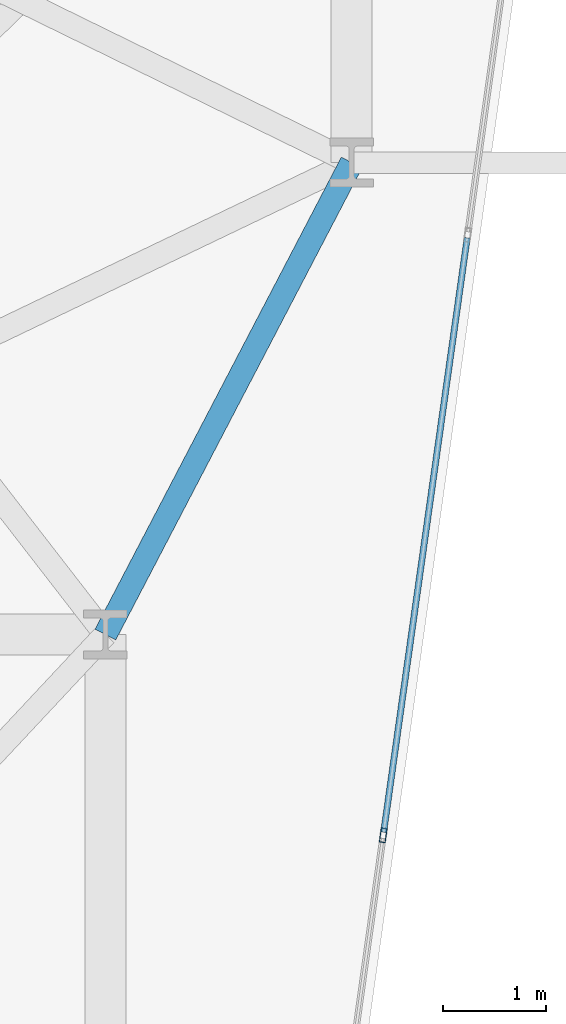
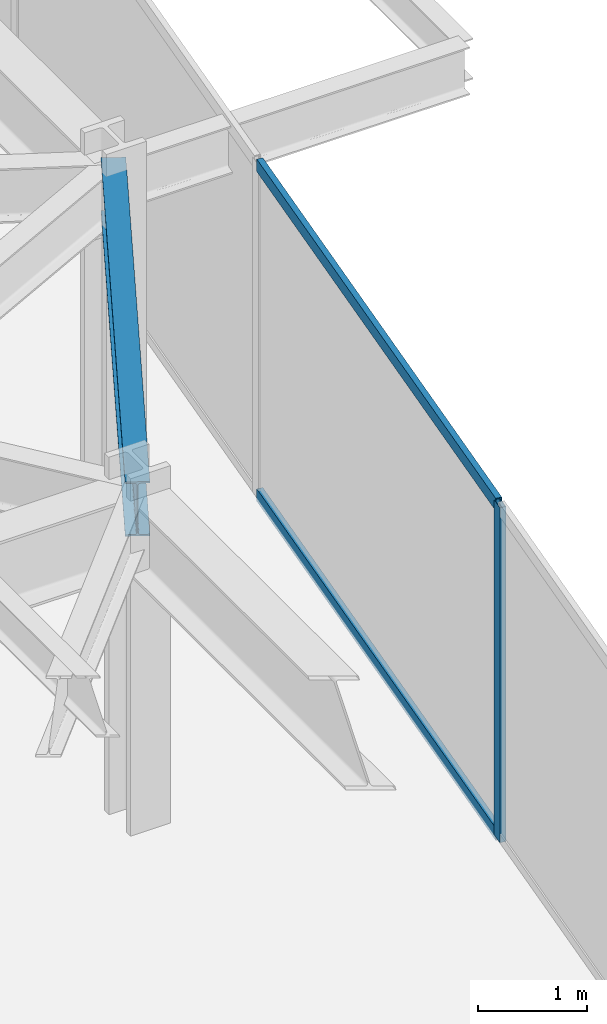
# One storey, part 14 of 24: 3 members, 1 beam, 1 element without a shape of its own.
"""IFC4 building model written with IfcOpenShell, lengths in metres."""

from ifc_helpers import new_model, si_unit, direction, frame, origin, origin_2d, place, context, subcontext, project, spatial, hollow_rectangle, i_section, extrude, material, layer, layer_set, material_profile, profile_set, type_object, element, aggregate, save


model = new_model("IFC4")

# Units and contexts
model_context = context("Model", 3, precision=1e-05, world=origin(), true_north=direction((0.0, 1.0)))
body_context = subcontext(model_context, "Body", "Model", "MODEL_VIEW")
ifc_project = project(units=[si_unit("LENGTHUNIT", "METRE"), si_unit("AREAUNIT", "SQUARE_METRE"), si_unit("VOLUMEUNIT", "CUBIC_METRE"), si_unit("PLANEANGLEUNIT", "RADIAN"), si_unit("MASSUNIT", "GRAM", prefix="KILO")], contexts=[model_context])

# Site, building, storey
site_placement = place(None, origin())
site = spatial("IfcSite", under=ifc_project, at=site_placement, CompositionType="ELEMENT")
building_placement = place(site_placement, origin())
building = spatial("IfcBuilding", under=site, at=building_placement, Name="Kravanh Interchange Tower", CompositionType="ELEMENT")
storey_placement = place(building_placement, frame((0.0, 0.0, 96.0)))
storey = spatial("IfcBuildingStorey", under=building, at=storey_placement, Name="L22", CompositionType="ELEMENT", Elevation=96.0)

# Curtain wall, members
ifc_material_1 = material(Name="Anodised Bronze Aluminium", Category="aluminium")
ifc_layer = layer(ifc_material_1, 0.179931640625)
ifc_layer_set = layer_set([ifc_layer], Name="Unitised Curtain Wall System CW-Z2 Mid Office")
curtain_wall_type = type_object("IfcCurtainWallType", Name="Unitised Curtain Wall System CW-Z2 Mid Office", PredefinedType="NOTDEFINED", material=ifc_layer_set)
curtain_wall_placement = place(storey_placement, origin())
curtain_wall = element("IfcCurtainWall", 1, at=curtain_wall_placement, inside=storey, type_object=curtain_wall_type, Name="L22 Unitised Curtain Wall CW-L22-01", PredefinedType="NOTDEFINED")
ifc_material_2 = material(Name="Anodised Bronze Aluminium", Category="aluminium")
ifc_material_profile_1 = material_profile(ifc_material_2, hollow_rectangle(XDim=0.06005859375, YDim=0.139892578125, WallThickness=0.00390625, at=origin_2d()), Name="ALU60X140X4")
ifc_profile_set_1 = profile_set([ifc_material_profile_1], Name="Anodised Bronze Aluminium")
member_type_1 = type_object("IfcMemberType", Name="Curtain Wall Mullion ALU60X140X4 Bronze", PredefinedType="MULLION", material=ifc_profile_set_1)
member_1_placement = place(storey_placement, frame((65.907470703125, 20.2431640625, 0.0), z_axis=(0.0, 0.0, 1.0), x_axis=(0.990268103846, -0.13917285118, 0.0)))
member_1 = element("IfcMember", 2, at=member_1_placement, type_object=member_type_1, Name="CW-Z2 mullion 4", PredefinedType="MULLION", context=body_context, shape_type="SweptSolid", body=[
    extrude(hollow_rectangle(XDim=0.06005859375, YDim=0.139892578125, WallThickness=0.00390625, at=origin_2d()), origin(), (0.0, 0.0, 1.0), 3.75),
])
ifc_material_3 = material(Name="Anodised Bronze Aluminium", Category="aluminium")
ifc_material_profile_2 = material_profile(ifc_material_3, hollow_rectangle(XDim=0.06005859375, YDim=0.139892578125, WallThickness=0.00390625, at=origin_2d()), Name="ALU60X140X4")
ifc_profile_set_2 = profile_set([ifc_material_profile_2], Name="Anodised Bronze Aluminium")
member_type_2 = type_object("IfcMemberType", Name="Curtain Wall Transom ALU60X140X4 Bronze", PredefinedType="USERDEFINED", material=ifc_profile_set_2)
member_2_placement = place(storey_placement, frame((66.725830078125, 26.065673828125, 0.030029296875), z_axis=(-0.13918896503, -0.990265839062, 0.0), x_axis=(0.990265839062, -0.13918896503, 0.0)))
member_2 = element("IfcMember", 3, at=member_2_placement, type_object=member_type_2, Name="CW-Z2 transom 3.1", ObjectType="TRANSOM", PredefinedType="USERDEFINED", context=body_context, shape_type="SweptSolid", body=[
    extrude(hollow_rectangle(XDim=0.06005859375, YDim=0.139892578125, WallThickness=0.00390625, at=origin_2d()), origin(), (0.0, 0.0, 1.0), 5.849609375),
])
member_3_placement = place(storey_placement, frame((66.725830078125, 26.065673828125, 3.719970703125), z_axis=(-0.13918896503, -0.990265839062, 0.0), x_axis=(0.990265839062, -0.13918896503, 0.0)))
member_3 = element("IfcMember", 4, at=member_3_placement, type_object=member_type_2, Name="CW-Z2 transom 3.2", ObjectType="TRANSOM", PredefinedType="USERDEFINED", context=body_context, shape_type="SweptSolid", body=[
    extrude(hollow_rectangle(XDim=0.06005859375, YDim=0.139892578125, WallThickness=0.00390625, at=origin_2d()), origin(), (0.0, 0.0, 1.0), 5.849609375),
])
aggregate(curtain_wall, [member_1, member_2, member_3])

# Beam
ifc_material_4 = material(Name="Structural Steel S355", Category="steel")
ifc_material_profile_3 = material_profile(ifc_material_4, i_section(OverallWidth=0.22802734375, OverallDepth=0.60791015625, WebThickness=0.01123046875, FlangeThickness=0.017333984375, FilletRadius=0.02197265625, at=origin_2d()), Name="W24X76")
ifc_profile_set_3 = profile_set([ifc_material_profile_3], Name="Structural Steel S355")
beam_type = type_object("IfcBeamType", Name="Floor Spandrel W24X76 Structural Steel S355", PredefinedType="SPANDREL", material=ifc_profile_set_3)
beam_placement = place(storey_placement, frame((65.60009765625, 26.800048828125, 3.446044921875), z_axis=(-0.462580479178, -0.886577295155, 0.0), x_axis=(0.886577295155, -0.462580479178, 0.0)))
element("IfcBeam", 5, at=beam_placement, inside=storey, type_object=beam_type, Name="L22 Perimeter Spandrel 66", PredefinedType="SPANDREL", context=body_context, shape_type="SweptSolid", body=[
    extrude(i_section(OverallWidth=0.22802734375, OverallDepth=0.60791015625, WebThickness=0.01123046875, FlangeThickness=0.017333984375, FilletRadius=0.02197265625, at=origin_2d()), origin(), (0.0, 0.0, 1.0), 5.188720703125),
])

save(model, "model.ifc")
